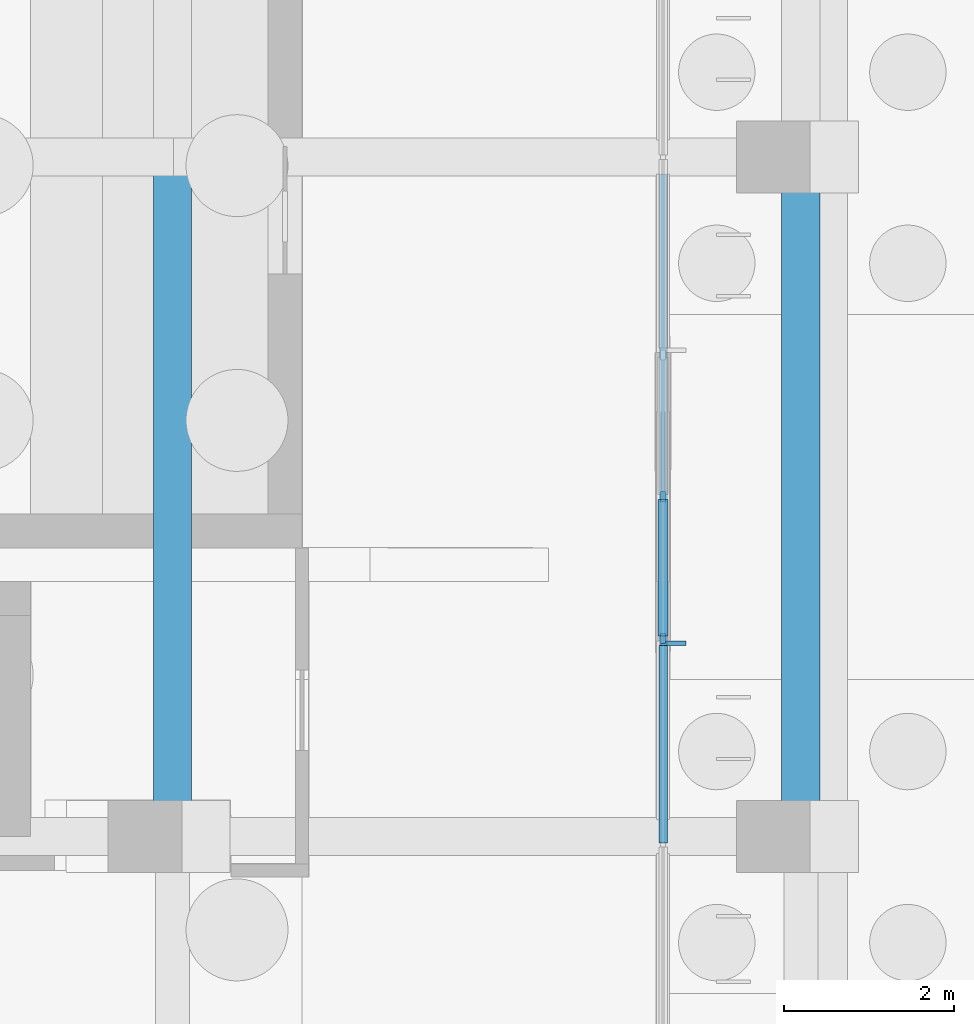
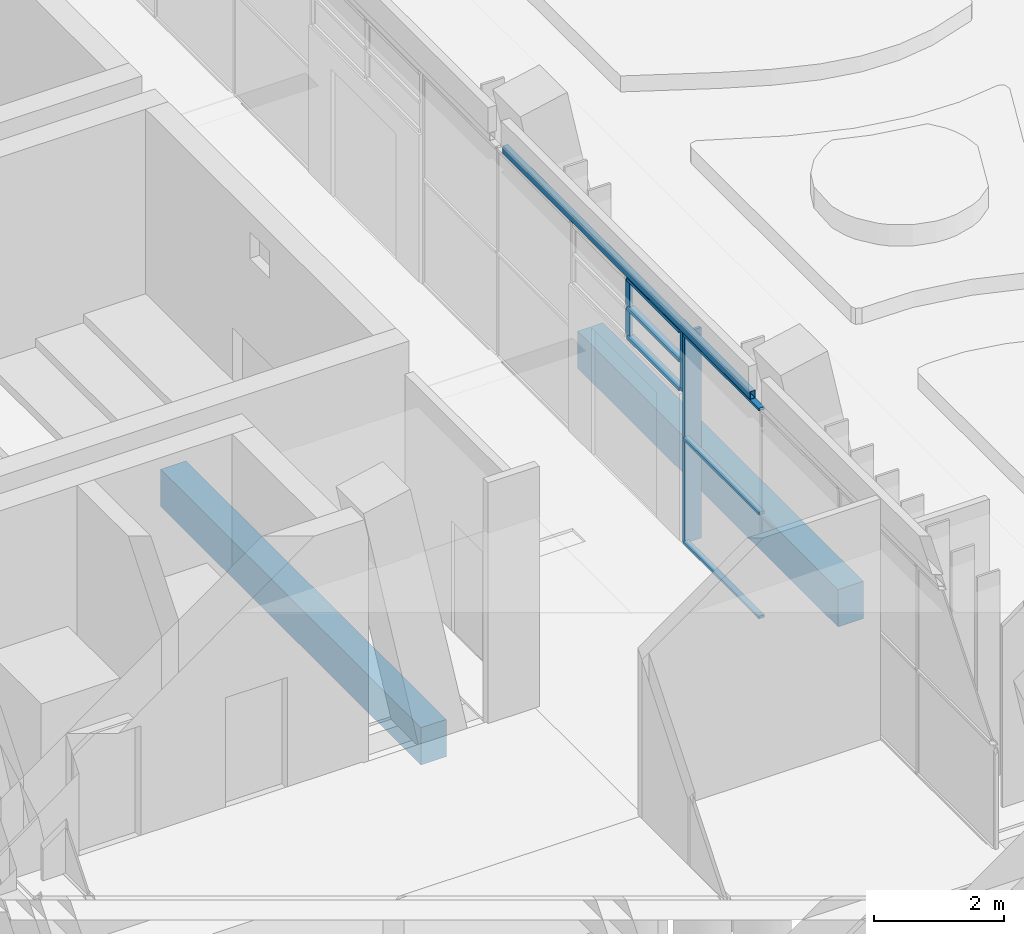
# One storey, part 47 of 144: 9 members, 3 beams, 2 elements without a shape of their own.
"""IFC4 building model written with IfcOpenShell, lengths in metres."""

from ifc_helpers import new_model, si_unit, direction, frame, origin, origin_2d, place, context, subcontext, project, spatial, rectangle, hollow_rectangle, extrude, material, material_profile, profile_set, type_object, element, aggregate, save


model = new_model("IFC4")

# Units and contexts
model_context = context("Model", 3, precision=1e-05, world=origin(), true_north=direction((0.0, 1.0)))
body_context = subcontext(model_context, "Body", "Model", "MODEL_VIEW")
ifc_project = project(units=[si_unit("LENGTHUNIT", "METRE"), si_unit("AREAUNIT", "SQUARE_METRE"), si_unit("VOLUMEUNIT", "CUBIC_METRE"), si_unit("PLANEANGLEUNIT", "RADIAN"), si_unit("MASSUNIT", "GRAM", prefix="KILO")], contexts=[model_context])

# Site, building, storey
site_placement = place(None, origin())
site = spatial("IfcSite", under=ifc_project, at=site_placement, CompositionType="ELEMENT")
building_placement = place(site_placement, origin())
building = spatial("IfcBuilding", under=site, at=building_placement, Name="Lantern Court Media Centre", CompositionType="ELEMENT")
storey_placement = place(building_placement, origin())
storey = spatial("IfcBuildingStorey", under=building, at=storey_placement, Name="L00", CompositionType="ELEMENT", Elevation=0.0)

# Curtain wall, member
ifc_material_1 = material(Name="Curtain wall bay 2400")
curtain_wall_type_1 = type_object("IfcCurtainWallType", Name="Curtain wall bay 2400", PredefinedType="NOTDEFINED", material=ifc_material_1)
curtain_wall_1_placement = place(storey_placement, origin())
curtain_wall_1 = element("IfcCurtainWall", 1, at=curtain_wall_1_placement, inside=storey, type_object=curtain_wall_type_1, Name="Curtain wall W inner L00", PredefinedType="NOTDEFINED")
ifc_material_2 = material(Name="Anodised aluminium", Category="aluminium")
ifc_material_profile_1 = material_profile(ifc_material_2, rectangle(XDim=0.300048828125, YDim=0.050048828125, at=origin_2d()), Name="AL 50x300")
ifc_profile_set_1 = profile_set([ifc_material_profile_1], Name="Anodised aluminium")
member_type_1 = type_object("IfcMemberType", Name="Curtain wall mullion 50x300", PredefinedType="MULLION", material=ifc_profile_set_1)
member_1_placement = place(storey_placement, frame((21.969970703125, 74.27490234375, 0.0), z_axis=(0.0, 0.0, 1.0), x_axis=(-1.0, 0.0, 0.0)))
member_1 = element("IfcMember", 2, at=member_1_placement, type_object=member_type_1, Name="CW2 mullion 5", PredefinedType="MULLION", context=body_context, shape_type="SweptSolid", body=[
    extrude(rectangle(XDim=0.300048828125, YDim=0.050048828125, at=origin_2d()), origin(), (0.0, 0.0, 1.0), 3.949951171875),
])

# Curtain wall, members
ifc_material_3 = material(Name="Curtain wall bay 1700")
curtain_wall_type_2 = type_object("IfcCurtainWallType", Name="Curtain wall bay 1700", PredefinedType="NOTDEFINED", material=ifc_material_3)
curtain_wall_2_placement = place(storey_placement, origin())
curtain_wall_2 = element("IfcCurtainWall", 3, at=curtain_wall_2_placement, inside=storey, type_object=curtain_wall_type_2, Name="Curtain wall W inner L00", PredefinedType="NOTDEFINED")
ifc_material_profile_2 = material_profile(ifc_material_2, rectangle(XDim=0.06005859375, YDim=0.1201171875, at=origin_2d()), Name="AL 60x120")
ifc_profile_set_2 = profile_set([ifc_material_profile_2], Name="Anodised aluminium")
member_type_2 = type_object("IfcMemberType", Name="Curtain wall mullion 60x120", PredefinedType="MULLION", material=ifc_profile_set_2)
member_2_placement = place(storey_placement, frame((21.85009765625, 74.330078125, 2.800048828125), z_axis=(0.0, 0.0, 1.0), x_axis=(-1.0, 0.0, 0.0)))
member_2 = element("IfcMember", 4, at=member_2_placement, type_object=member_type_2, Name="CW4 mullion 1", PredefinedType="MULLION", context=body_context, shape_type="SweptSolid", body=[
    extrude(rectangle(XDim=0.06005859375, YDim=0.1201171875, at=origin_2d()), origin(), (0.0, 0.0, 1.0), 1.14990234375),
])
member_3_placement = place(storey_placement, frame((21.85009765625, 76.0, 2.800048828125), z_axis=(0.0, 0.0, 1.0), x_axis=(-1.0, 0.0, 0.0)))
member_3 = element("IfcMember", 5, at=member_3_placement, type_object=member_type_2, Name="CW4 mullion 2", PredefinedType="MULLION", context=body_context, shape_type="SweptSolid", body=[
    extrude(rectangle(XDim=0.06005859375, YDim=0.1201171875, at=origin_2d()), origin(), (0.0, 0.0, 1.0), 1.14990234375),
])

# Member
ifc_material_profile_3 = material_profile(ifc_material_2, rectangle(XDim=0.10009765625, YDim=0.050048828125, at=origin_2d()), Name="AL 50x100")
ifc_profile_set_3 = profile_set([ifc_material_profile_3], Name="Anodised aluminium")
member_type_3 = type_object("IfcMemberType", Name="Curtain wall transom 100x50", PredefinedType="USERDEFINED", material=ifc_profile_set_3)
member_4_placement = place(storey_placement, frame((21.85009765625, 71.925048828125, 0.02490234375), z_axis=(0.0, 1.0, 0.0), x_axis=(-1.0, 0.0, 0.0)))
member_4 = element("IfcMember", 6, at=member_4_placement, type_object=member_type_3, Name="CW2 transom 4.1", ObjectType="TRANSOM", PredefinedType="USERDEFINED", context=body_context, shape_type="SweptSolid", body=[
    extrude(rectangle(XDim=0.10009765625, YDim=0.050048828125, at=origin_2d()), origin(), (0.0, 0.0, 1.0), 2.324951171875),
])

member_5_placement = place(storey_placement, frame((21.85009765625, 71.925048828125, 1.97509765625), z_axis=(0.0, 1.0, 0.0), x_axis=(-1.0, 0.0, 0.0)))
member_5 = element("IfcMember", 7, at=member_5_placement, type_object=member_type_3, Name="CW2 transom 4.2", ObjectType="TRANSOM", PredefinedType="USERDEFINED", context=body_context, shape_type="SweptSolid", body=[
    extrude(rectangle(XDim=0.10009765625, YDim=0.050048828125, at=origin_2d()), origin(), (0.0, 0.0, 1.0), 2.324951171875),
])

member_6_placement = place(storey_placement, frame((21.85009765625, 71.925048828125, 3.925048828125), z_axis=(0.0, 1.0, 0.0), x_axis=(-1.0, 0.0, 0.0)))
member_6 = element("IfcMember", 8, at=member_6_placement, type_object=member_type_3, Name="CW2 transom 4.3", ObjectType="TRANSOM", PredefinedType="USERDEFINED", context=body_context, shape_type="SweptSolid", body=[
    extrude(rectangle(XDim=0.10009765625, YDim=0.050048828125, at=origin_2d()), origin(), (0.0, 0.0, 1.0), 2.324951171875),
])

aggregate(curtain_wall_1, [member_1, member_4, member_5, member_6])

ifc_material_profile_4 = material_profile(ifc_material_2, rectangle(XDim=0.1201171875, YDim=0.06005859375, at=origin_2d()), Name="AL 60x120")
ifc_profile_set_4 = profile_set([ifc_material_profile_4], Name="Anodised aluminium")
member_type_4 = type_object("IfcMemberType", Name="Curtain wall transom 60x120", PredefinedType="USERDEFINED", material=ifc_profile_set_4)
member_7_placement = place(storey_placement, frame((21.85009765625, 74.360107421875, 2.830078125), z_axis=(0.0, 1.0, 0.0), x_axis=(-1.0, 0.0, 0.0)))
member_7 = element("IfcMember", 9, at=member_7_placement, type_object=member_type_4, Name="CW4 transom 1.1", ObjectType="TRANSOM", PredefinedType="USERDEFINED", context=body_context, shape_type="SweptSolid", body=[
    extrude(rectangle(XDim=0.1201171875, YDim=0.06005859375, at=origin_2d()), origin(), (0.0, 0.0, 1.0), 1.60986328125),
])

member_8_placement = place(storey_placement, frame((21.85009765625, 74.360107421875, 3.375), z_axis=(0.0, 1.0, 0.0), x_axis=(-1.0, 0.0, 0.0)))
member_8 = element("IfcMember", 10, at=member_8_placement, type_object=member_type_4, Name="CW4 transom 1.2", ObjectType="TRANSOM", PredefinedType="USERDEFINED", context=body_context, shape_type="SweptSolid", body=[
    extrude(rectangle(XDim=0.1201171875, YDim=0.06005859375, at=origin_2d()), origin(), (0.0, 0.0, 1.0), 1.60986328125),
])

member_9_placement = place(storey_placement, frame((21.85009765625, 74.360107421875, 3.919921875), z_axis=(0.0, 1.0, 0.0), x_axis=(-1.0, 0.0, 0.0)))
member_9 = element("IfcMember", 11, at=member_9_placement, type_object=member_type_4, Name="CW4 transom 1.3", ObjectType="TRANSOM", PredefinedType="USERDEFINED", context=body_context, shape_type="SweptSolid", body=[
    extrude(rectangle(XDim=0.1201171875, YDim=0.06005859375, at=origin_2d()), origin(), (0.0, 0.0, 1.0), 1.60986328125),
])

aggregate(curtain_wall_2, [member_2, member_3, member_7, member_8, member_9])

# Beams
ifc_material_4 = material(Name="Steel S355J2 (EN 10025-2)", Category="steel")
ifc_material_profile_5 = material_profile(ifc_material_4, hollow_rectangle(XDim=0.10009765625, YDim=0.14990234375, WallThickness=0.00634765625, InnerFilletRadius=0.00634765625, OuterFilletRadius=0.009521484375, at=origin_2d()), Name="Facade head lintel RHS 150x100x6.3")
ifc_profile_set_5 = profile_set([ifc_material_profile_5], Name="Steel S355J2 (EN 10025-2)")
beam_type_1 = type_object("IfcBeamType", Name="Facade head lintel RHS 150x100x6.3", PredefinedType="BEAM", material=ifc_profile_set_5)
beam_placement = place(storey_placement, frame((21.85009765625, 72.199951171875, 4.02490234375), z_axis=(0.0, 1.0, 0.0), x_axis=(-1.0, 0.0, 0.0)))
element("IfcBeam", 12, at=beam_placement, inside=storey, type_object=beam_type_1, Name="Facade head lintel W L00", PredefinedType="BEAM", context=body_context, shape_type="SweptSolid", body=[
    extrude(hollow_rectangle(XDim=0.10009765625, YDim=0.14990234375, WallThickness=0.00634765625, InnerFilletRadius=0.00634765625, OuterFilletRadius=0.009521484375, at=origin_2d()), origin(), (0.0, 0.0, 1.0), 7.60009765625),
])
ifc_material_5 = material(Name="Concrete C35", Category="concrete")
ifc_material_profile_6 = material_profile(ifc_material_5, rectangle(XDim=0.449951171875, YDim=0.699951171875, at=origin_2d()), Name="RC 450x700")
ifc_profile_set_6 = profile_set([ifc_material_profile_6], Name="Concrete C35")
beam_type_2 = type_object("IfcBeamType", Name="RC BEAM 450x700", PredefinedType="BEAM", material=ifc_profile_set_6)
for number, where, z_axis, x_axis, name in (
    (13, (16.072998046875, 72.0, -0.35009765625), (0.0, 1.0, 0.0), (-1.0, 0.0, 0.0), "LB-W-L00-1-1"),
    (14, (23.472900390625, 72.0, -0.35009765625), (0.0, 1.0, 0.0), (-1.0, 0.0, 0.0), "LB-W-L00-2-1"),
):
    element("IfcBeam", number, at=place(storey_placement, frame(where, z_axis=z_axis, x_axis=x_axis)), inside=storey, type_object=beam_type_2, Name=name, PredefinedType="BEAM", context=body_context, shape_type="SweptSolid", body=[
        extrude(rectangle(XDim=0.449951171875, YDim=0.699951171875, at=origin_2d()), origin(), (0.0, 0.0, 1.0), 8.0),
    ])

save(model, "model.ifc")
